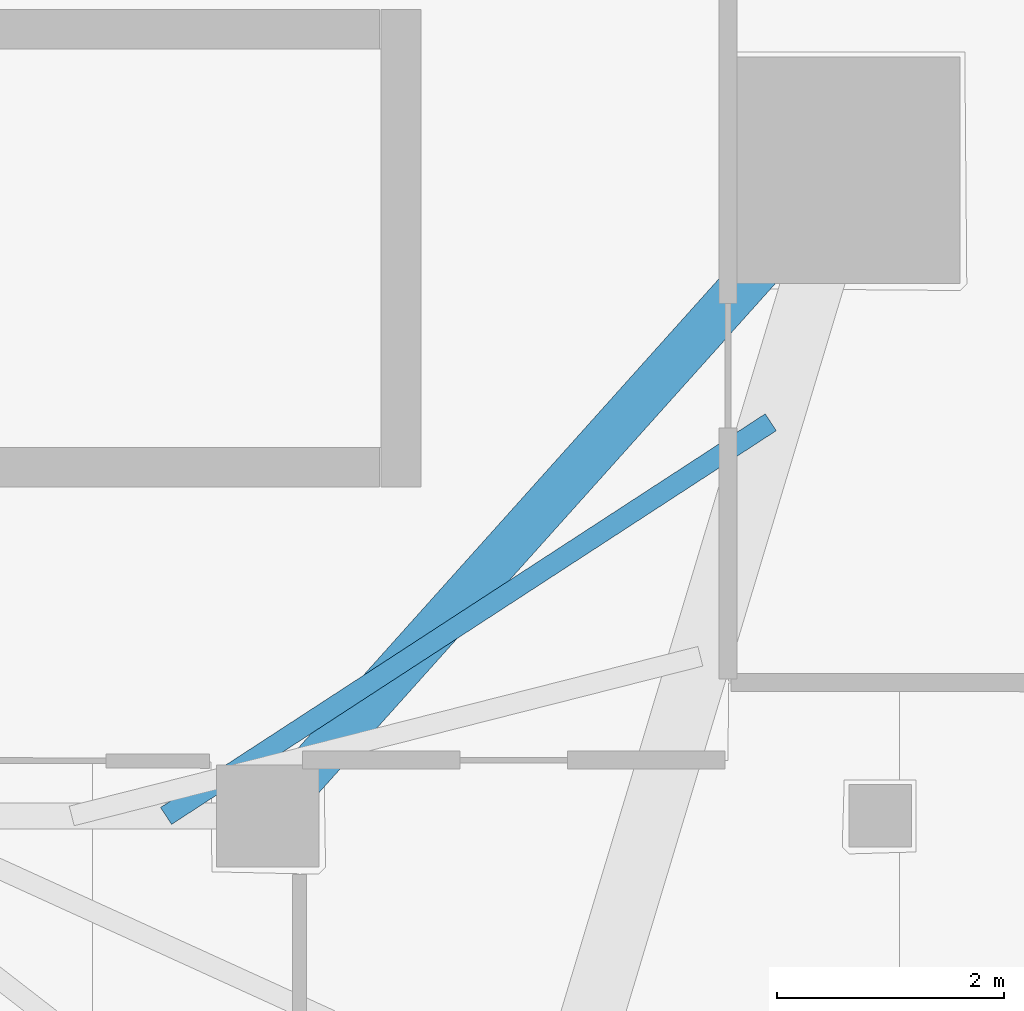
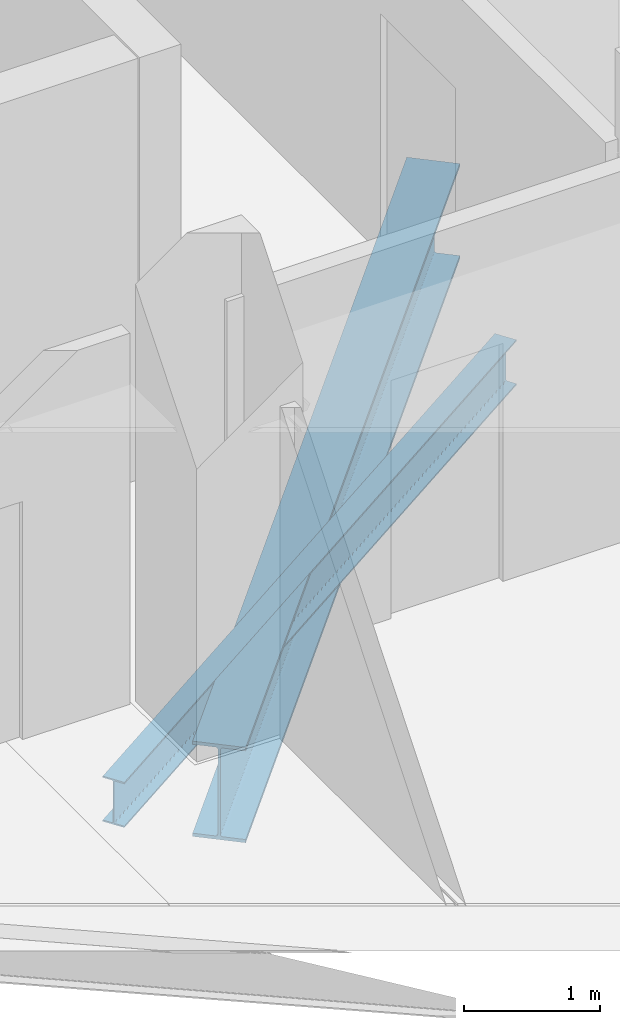
# One storey, part 14 of 43: 2 beams.
"""IFC4 building model written with IfcOpenShell, lengths in metres."""

from ifc_helpers import new_model, si_unit, direction, frame, origin, origin_2d, place, context, subcontext, project, spatial, i_section, extrude, material, material_profile, profile_set, type_object, element, save


model = new_model("IFC4")

# Units and contexts
model_context = context("Model", 3, precision=1e-05, world=origin(), true_north=direction((0.0, 1.0)))
body_context = subcontext(model_context, "Body", "Model", "MODEL_VIEW")
ifc_project = project(units=[si_unit("LENGTHUNIT", "METRE"), si_unit("AREAUNIT", "SQUARE_METRE"), si_unit("VOLUMEUNIT", "CUBIC_METRE"), si_unit("PLANEANGLEUNIT", "RADIAN"), si_unit("MASSUNIT", "GRAM", prefix="KILO")], contexts=[model_context])

# Site, building, storey
site_placement = place(None, origin())
site = spatial("IfcSite", under=ifc_project, at=site_placement, CompositionType="ELEMENT")
building_placement = place(site_placement, origin())
building = spatial("IfcBuilding", under=site, at=building_placement, Name="Qorvath Tower", CompositionType="ELEMENT")
storey_placement = place(building_placement, frame((0.0, 0.0, 213.14990234375)))
storey = spatial("IfcBuildingStorey", under=building, at=storey_placement, Name="L49", CompositionType="ELEMENT", Elevation=213.14990234375)

# Beams
ifc_material_1 = material(Name="Steel ASTM A992 Grade 50", Category="steel")
ifc_material_profile_1 = material_profile(ifc_material_1, i_section(OverallWidth=0.39892578125, OverallDepth=0.85498046875, WebThickness=0.018310546875, FlangeThickness=0.029296875, FilletRadius=0.02001953125, at=origin_2d()), Name="W33x201")
ifc_profile_set_1 = profile_set([ifc_material_profile_1], Name="Steel ASTM A992 Grade 50")
beam_type_1 = type_object("IfcBeamType", Name="BM-FG2", PredefinedType="BEAM", material=ifc_profile_set_1)
beam_1_placement = place(storey_placement, frame((-17.199951171875, -11.449951171875, -0.697509765625), z_axis=(0.667543184261, 0.744571082669, 0.0), x_axis=(-0.744571082669, 0.667543184261, 0.0)))
element("IfcBeam", 1, at=beam_1_placement, inside=storey, type_object=beam_type_1, Name="Radial Floor Girder CC3-MC4 L49", PredefinedType="BEAM", context=body_context, shape_type="SweptSolid", body=[
    extrude(i_section(OverallWidth=0.39892578125, OverallDepth=0.85498046875, WebThickness=0.018310546875, FlangeThickness=0.029296875, FilletRadius=0.02001953125, at=origin_2d()), origin(), (0.0, 0.0, 1.0), 7.644775390625),
])
ifc_material_2 = material(Name="Steel ASTM A992 Grade 50", Category="steel")
ifc_material_profile_2 = material_profile(ifc_material_2, i_section(OverallWidth=0.177978515625, OverallDepth=0.406005859375, WebThickness=0.0078125, FlangeThickness=0.0126953125, FilletRadius=0.010986328125, at=origin_2d()), Name="W16x40")
ifc_profile_set_2 = profile_set([ifc_material_profile_2], Name="Steel ASTM A992 Grade 50")
beam_type_2 = type_object("IfcBeamType", Name="BM-FJ3", PredefinedType="JOIST", material=ifc_profile_set_2)
beam_2_placement = place(storey_placement, frame((-18.095947265625, -11.449951171875, -0.472900390625), z_axis=(0.838041756057, 0.545606098853, 0.0), x_axis=(-0.545606098853, 0.838041756057, 0.0)))
element("IfcBeam", 2, at=beam_2_placement, inside=storey, type_object=beam_type_2, Name="Composite Floor Joist SE1 L49", PredefinedType="JOIST", context=body_context, shape_type="SweptSolid", body=[
    extrude(i_section(OverallWidth=0.177978515625, OverallDepth=0.406005859375, WebThickness=0.0078125, FlangeThickness=0.0126953125, FilletRadius=0.010986328125, at=origin_2d()), origin(), (0.0, 0.0, 1.0), 6.36083984375),
])

save(model, "model.ifc")
